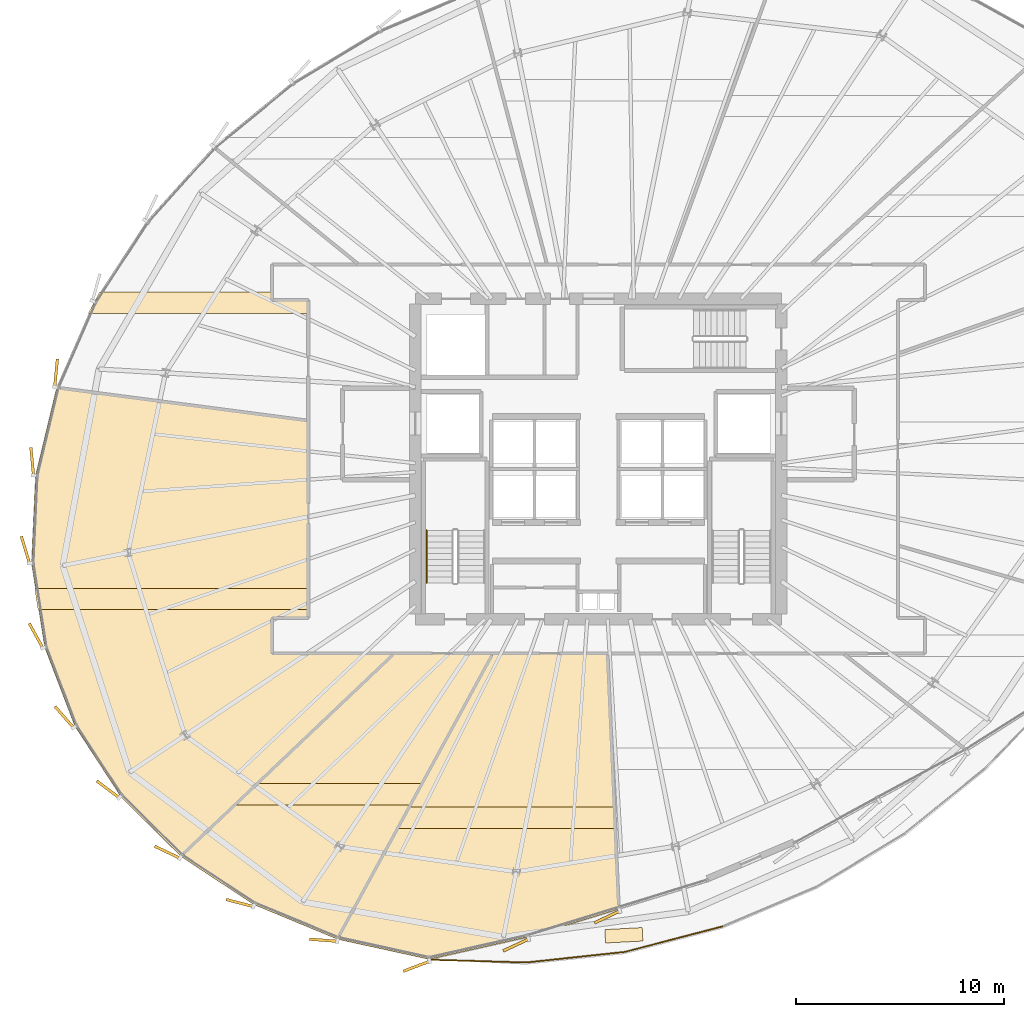
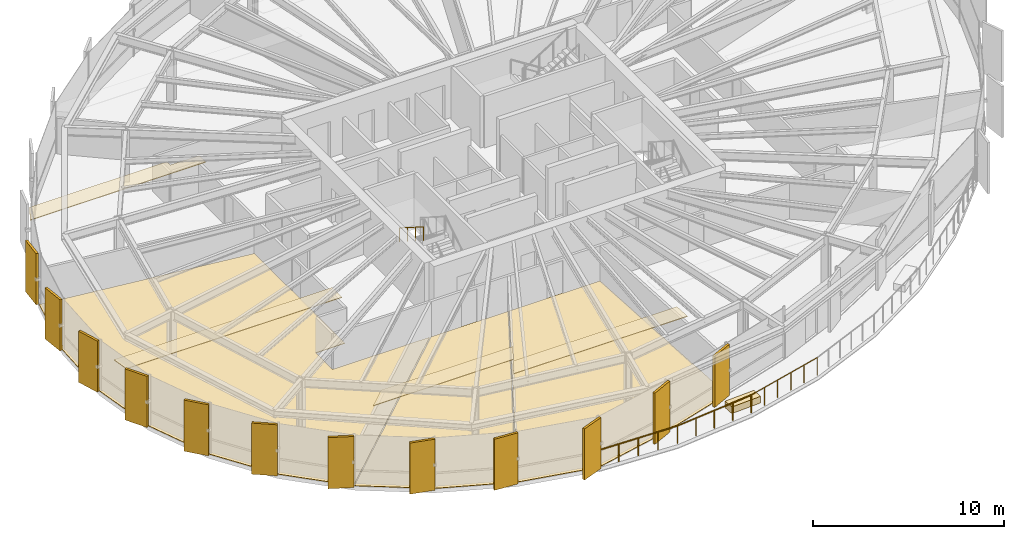
# One storey, part 32 of 36: 20 coverings, 4 railings.
"""IFC4 building model written with IfcOpenShell, lengths in metres."""

from ifc_helpers import new_model, si_unit, direction, frame, origin, origin_2d, place, context, subcontext, project, spatial, polyline, rectangle, circle, outline, extrude, source, transform, mapped, material, layer, layer_set, type_object, element, save


model = new_model("IFC4")

# Units and contexts
model_context = context("Model", 3, precision=1e-05, world=origin(), true_north=direction((0.0, 1.0)))
body_context = subcontext(model_context, "Body", "Model", "MODEL_VIEW")
ifc_project = project(units=[si_unit("LENGTHUNIT", "METRE"), si_unit("AREAUNIT", "SQUARE_METRE"), si_unit("VOLUMEUNIT", "CUBIC_METRE"), si_unit("PLANEANGLEUNIT", "RADIAN"), si_unit("MASSUNIT", "GRAM", prefix="KILO"), si_unit("THERMODYNAMICTEMPERATUREUNIT", "KELVIN")], contexts=[model_context])

# Site, building, storey
site_placement = place(None, origin())
site = spatial("IfcSite", under=ifc_project, at=site_placement, CompositionType="ELEMENT")
building_placement = place(site_placement, origin())
building = spatial("IfcBuilding", under=site, at=building_placement, Name="Kethvar Cultural Tower", CompositionType="ELEMENT")
storey_placement = place(building_placement, frame((0.0, 0.0, 143.0)))
storey = spatial("IfcBuildingStorey", under=building, at=storey_placement, Name="L36", CompositionType="ELEMENT", Elevation=143.0)

# Coverings
ifc_material_1 = material(Name="Acoustic Mineral Fibre Ceiling")
ifc_layer_1 = layer(ifc_material_1, 0.0400390625, Name="Acoustic Mineral Fibre Ceiling")
ifc_layer_set_1 = layer_set([ifc_layer_1], Name="Acoustic Mineral Fibre Ceiling (40 mm)")
covering_type_1 = type_object("IfcCoveringType", Name="CV-ACOUSTIC-CEIL", PredefinedType="CEILING", material=ifc_layer_set_1)
covering_1_placement = place(storey_placement, frame((0.0, 0.0, 2.669921875)))
element("IfcCovering", 1, at=covering_1_placement, inside=storey, type_object=covering_type_1, Name="L36 Room 01 Acoustic Ceiling Panel", PredefinedType="CEILING", context=body_context, shape_type="SweptSolid", body=[
    extrude(outline(polyline([(30.404296875, 12.20654296875), (38.364501953125, 12.20654296875), (37.8056640625, 11.176513671875), (29.3232421875, 11.176513671875), (30.404296875, 12.20654296875)])), origin(), (0.0, 0.0, 1.0), 0.0400390625),
])
covering_2_placement = place(storey_placement, frame((0.0, 0.0, 2.669921875)))
element("IfcCovering", 2, at=covering_2_placement, inside=storey, type_object=covering_type_1, Name="L36 Room 02 Acoustic Ceiling Panel", PredefinedType="CEILING", context=body_context, shape_type="SweptSolid", body=[
    extrude(outline(polyline([(37.69677734375, 11.059814453125), (47.599609375, 11.059814453125), (47.647705078125, 10.02978515625), (37.13818359375, 10.02978515625), (37.69677734375, 11.059814453125)])), origin(), (0.0, 0.0, 1.0), 0.0400390625),
])
covering_3_placement = place(storey_placement, frame((0.0, 0.0, 2.669921875)))
element("IfcCovering", 3, at=covering_3_placement, inside=storey, type_object=covering_type_1, Name="L36 Room 10 Acoustic Ceiling Panel", PredefinedType="CEILING", context=body_context, shape_type="SweptSolid", body=[
    extrude(outline(polyline([(22.2705078125, 34.793212890625), (22.817138671875, 35.8232421875), (31.1201171875, 35.8232421875), (31.1201171875, 35.469970703125), (32.859375, 35.467529296875), (32.8701171875, 34.793212890625), (22.2705078125, 34.793212890625)])), origin(), (0.0, 0.0, 1.0), 0.0400390625),
])
covering_4_placement = place(storey_placement, frame((0.0, 0.0, 2.669921875)))
element("IfcCovering", 4, at=covering_4_placement, inside=storey, type_object=covering_type_1, Name="L36 Room 11 Acoustic Ceiling Panel", PredefinedType="CEILING", context=body_context, shape_type="SweptSolid", body=[
    extrude(outline(polyline([(19.697265625, 21.584228515625), (32.8701171875, 21.584228515625), (32.8701171875, 20.55419921875), (19.8583984375, 20.55419921875), (19.697265625, 21.584228515625)])), origin(), (0.0, 0.0, 1.0), 0.0400390625),
])
ifc_material_2 = material(Name="Architectural Oak Timber", Category="wood")
ifc_layer_2 = layer(ifc_material_2, 0.02490234375, Name="Architectural Oak Timber", Category="wood")
ifc_layer_set_2 = layer_set([ifc_layer_2], Name="Architectural Oak Timber (25 mm)")
covering_type_2 = type_object("IfcCoveringType", Name="CV-OAK-FLOOR", PredefinedType="FLOORING", material=ifc_layer_set_2)
covering_5_placement = place(storey_placement, origin())
element("IfcCovering", 5, at=covering_5_placement, inside=storey, type_object=covering_type_2, Name="L36 Room 01 Floor Finish", PredefinedType="FLOORING", context=body_context, shape_type="SweptSolid", body=[
    extrude(outline(polyline([(30.2529296875, 6.37451171875), (26.757080078125, 8.6767578125), (36.994384765625, 18.429931640625), (41.694580078125, 18.429931640625), (34.256103515625, 4.716552734375), (30.2529296875, 6.37451171875)])), origin(), (0.0, 0.0, 1.0), 0.02490234375),
])
covering_6_placement = place(storey_placement, origin())
element("IfcCovering", 6, at=covering_6_placement, inside=storey, type_object=covering_type_2, Name="L36 Room 02 Floor Finish", PredefinedType="FLOORING", context=body_context, shape_type="SweptSolid", body=[
    extrude(outline(polyline([(43.379150390625, 4.805908203125), (38.667236328125, 3.748291015625), (34.29541015625, 4.705078125), (41.739990234375, 18.429931640625), (47.21630859375, 18.429931640625), (47.78759765625, 6.162841796875), (43.379150390625, 4.805908203125)])), origin(), (0.0, 0.0, 1.0), 0.02490234375),
])
covering_7_placement = place(storey_placement, origin())
element("IfcCovering", 7, at=covering_7_placement, inside=storey, type_object=covering_type_2, Name="L36 Room 11 Floor Finish", PredefinedType="FLOORING", context=body_context, shape_type="SweptSolid", body=[
    extrude(outline(polyline([(23.83251953125, 11.584716796875), (21.62451171875, 14.972412109375), (20.181396484375, 18.75), (19.547119140625, 22.80224609375), (19.740234375, 27.0068359375), (20.751953125, 31.2197265625), (32.830078125, 29.624755859375), (32.830078125, 20.169921875), (31.0859375, 20.1640625), (31.08154296875, 18.4423828125), (36.936279296875, 18.429931640625), (26.7255859375, 8.70166015625), (23.83251953125, 11.584716796875)])), origin(), (0.0, 0.0, 1.0), 0.02490234375),
])

# Railings
ifc_material_3 = material(Name="Steel S355J2", Category="steel")
railing_type_1 = type_object("IfcRailingType", Name="RL-EXT-GUARD-1150", PredefinedType="BALUSTRADE", material=ifc_material_3)
railing_1_placement = place(storey_placement, frame((38.667236328125, 3.727783203125, 0.0)))
element("IfcRailing", 8, at=railing_1_placement, inside=storey, type_object=railing_type_1, Name="L36 Spiralling Terrace Balustrade 01", PredefinedType="BALUSTRADE", context=body_context, shape_type="SweptSolid", body=[
    extrude(circle(Radius=0.02392578125, at=origin_2d()), frame((0.0, 0.0, 1.1259765625), z_axis=(0.999593238085, -0.028519438528, 0.0), x_axis=(0.028519438528, 0.999593238085, 0.0)), (0.0, 0.0, 1.0), 4.66552734375),
    extrude(circle(Radius=0.02099609375, at=origin_2d()), origin(), (0.0, 0.0, 1.0), 1.101806640625),
    extrude(circle(Radius=0.02099609375, at=origin_2d()), frame((1.166015625, -0.033203125, 0.0)), (0.0, 0.0, 1.0), 1.101806640625),
    extrude(circle(Radius=0.02099609375, at=origin_2d()), frame((2.331787109375, -0.06640625, 0.0)), (0.0, 0.0, 1.0), 1.101806640625),
    extrude(circle(Radius=0.02099609375, at=origin_2d()), frame((3.49755859375, -0.099853515625, 0.0)), (0.0, 0.0, 1.0), 1.101806640625),
    extrude(circle(Radius=0.02099609375, at=origin_2d()), frame((4.66357421875, -0.133056640625, 0.0)), (0.0, 0.0, 1.0), 1.101806640625),
])
railing_2_placement = place(storey_placement, frame((43.330810546875, 3.5947265625, 0.0)))
element("IfcRailing", 9, at=railing_2_placement, inside=storey, type_object=railing_type_1, Name="L36 Spiralling Terrace Balustrade 02", PredefinedType="BALUSTRADE", context=body_context, shape_type="SweptSolid", body=[
    extrude(circle(Radius=0.02392578125, at=origin_2d()), frame((0.0, 0.0, 1.1259765625), z_axis=(0.994305662919, 0.106565701269, 0.0), x_axis=(-0.106565701269, 0.994305662919, 0.0)), (0.0, 0.0, 1.0), 4.762939453125),
    extrude(circle(Radius=0.02099609375, at=origin_2d()), origin(), (0.0, 0.0, 1.0), 1.101806640625),
    extrude(circle(Radius=0.02099609375, at=origin_2d()), frame((1.18408203125, 0.126953125, 0.0)), (0.0, 0.0, 1.0), 1.101806640625),
    extrude(circle(Radius=0.02099609375, at=origin_2d()), frame((2.367919921875, 0.25390625, 0.0)), (0.0, 0.0, 1.0), 1.101806640625),
    extrude(circle(Radius=0.02099609375, at=origin_2d()), frame((3.5517578125, 0.380615234375, 0.0)), (0.0, 0.0, 1.0), 1.101806640625),
    extrude(circle(Radius=0.02099609375, at=origin_2d()), frame((4.73583984375, 0.507568359375, 0.0)), (0.0, 0.0, 1.0), 1.101806640625),
])
railing_3_placement = place(storey_placement, frame((48.066650390625, 4.102294921875, 0.0)))
element("IfcRailing", 10, at=railing_3_placement, inside=storey, type_object=railing_type_1, Name="L36 Spiralling Terrace Balustrade 03", PredefinedType="BALUSTRADE", context=body_context, shape_type="SweptSolid", body=[
    extrude(circle(Radius=0.02392578125, at=origin_2d()), frame((0.0, 0.0, 1.1259765625), z_axis=(0.967556885601, 0.252653266603, 0.0), x_axis=(-0.252653266603, 0.967556885601, 0.0)), (0.0, 0.0, 1.0), 4.853759765625),
    extrude(circle(Radius=0.02099609375, at=origin_2d()), origin(), (0.0, 0.0, 1.0), 1.101806640625),
    extrude(circle(Radius=0.02099609375, at=origin_2d()), frame((0.939208984375, 0.245361328125, 0.0)), (0.0, 0.0, 1.0), 1.101806640625),
    extrude(circle(Radius=0.02099609375, at=origin_2d()), frame((1.87841796875, 0.490478515625, 0.0)), (0.0, 0.0, 1.0), 1.101806640625),
    extrude(circle(Radius=0.02099609375, at=origin_2d()), frame((2.81787109375, 0.73583984375, 0.0)), (0.0, 0.0, 1.0), 1.101806640625),
    extrude(circle(Radius=0.02099609375, at=origin_2d()), frame((3.757080078125, 0.98095703125, 0.0)), (0.0, 0.0, 1.0), 1.101806640625),
    extrude(circle(Radius=0.02099609375, at=origin_2d()), frame((4.6962890625, 1.226318359375, 0.0)), (0.0, 0.0, 1.0), 1.101806640625),
])
railing_type_2 = type_object("IfcRailingType", Name="RL-STAIR-HANDRAIL", PredefinedType="HANDRAIL", material=ifc_material_3)
railing_4_placement = place(storey_placement, frame((38.5400390625, 24.3701171875, 1.952392578125)))
element("IfcRailing", 11, at=railing_4_placement, inside=storey, type_object=railing_type_2, Name="L36 ST-01 stair handrail 2", PredefinedType="HANDRAIL", context=body_context, shape_type="SweptSolid", body=[
    extrude(circle(Radius=0.02392578125, at=origin_2d()), frame((0.0, 0.0, 0.8759765625), z_axis=(0.0, -0.84456994832, 0.535445237532), x_axis=(1.0, 0.0, 0.0)), (0.0, 0.0, 1.0), 2.98388671875),
    extrude(circle(Radius=0.02099609375, at=origin_2d()), origin(), (0.0, 0.0, 1.0), 0.851806640625),
    extrude(circle(Radius=0.02099609375, at=origin_2d()), frame((0.0, -0.840087890625, 0.532470703125)), (0.0, 0.0, 1.0), 0.851806640625),
    extrude(circle(Radius=0.02099609375, at=origin_2d()), frame((0.0, -1.679931640625, 1.065185546875)), (0.0, 0.0, 1.0), 0.851806640625),
    extrude(circle(Radius=0.02099609375, at=origin_2d()), frame((0.0, -2.52001953125, 1.59765625)), (0.0, 0.0, 1.0), 0.851806640625),
])

# Coverings
ifc_material_4 = material(Name="Extruded Architectural Terracotta", Category="masonry")
ifc_layer_3 = layer(ifc_material_4, 0.419921875, Name="Extruded Architectural Terracotta", Category="masonry")
ifc_layer_set_3 = layer_set([ifc_layer_3], Name="Extruded Architectural Terracotta (420 mm)")
covering_type_3 = type_object("IfcCoveringType", Name="Terracotta Terrace Planter PLANTER-01", PredefinedType="USERDEFINED", material=ifc_layer_set_3)
shared_shape_1 = source(origin(), body_context, "Body", "SweptSolid", [
    extrude(rectangle(XDim=1.800048828125, YDim=0.64990234375, at=origin_2d()), origin(), (0.0, 0.0, 1.0), 0.419921875),
])
covering_8_placement = place(storey_placement, frame((48.02392578125, 4.90087890625, 0.0), z_axis=(0.0, 0.0, 1.0), x_axis=(0.99857418112, 0.053381689759, 0.0)))
element("IfcCovering", 12, at=covering_8_placement, inside=storey, type_object=covering_type_3, Name="L36 Sky Terrace Planter Box A", ObjectType="PLANTER", PredefinedType="USERDEFINED", context=body_context, shape_type="MappedRepresentation", body=[
    mapped(shared_shape_1, transform((0.0, 0.0, 0.0), scale=1.0)),
])
ifc_layer_4 = layer(ifc_material_4, 0.135009765625, Name="Extruded Architectural Terracotta", Category="masonry")
ifc_layer_set_4 = layer_set([ifc_layer_4], Name="Extruded Architectural Terracotta (135 mm)")
covering_type_4 = type_object("IfcCoveringType", Name="Terracotta Facade Fin FIN-02", PredefinedType="CLADDING", material=ifc_layer_set_4)
shared_shape_2 = source(origin(), body_context, "Body", "SweptSolid", [
    extrude(rectangle(XDim=1.35009765625, YDim=0.135009765625, at=origin_2d()), origin(), (0.0, 0.0, 1.0), 3.260009765625),
])
for number, where, z_axis, x_axis, name in (
    (13, (20.7236328125, 31.9326171875, 0.02001953125), (0.0, 0.0, 1.0), (0.09584575252, 0.995396198367, 0.0), "L36 Vertical Terracotta Fin 3.3"),
    (14, (19.577392578125, 27.685302734375, 0.02001953125), (0.0, 0.0, 1.0), (-0.093587025416, 0.995611103129, 0.0), "L36 Vertical Terracotta Fin 3.4"),
    (15, (19.251708984375, 23.434814453125, 0.02001953125), (0.0, 0.0, 1.0), (-0.290702193598, 0.956813584058, 0.0), "L36 Vertical Terracotta Fin 3.5"),
    (16, (19.760986328125, 19.30712890625, 0.02001953125), (0.0, 0.0, 1.0), (-0.483435173278, 0.875380164978, 0.0), "L36 Vertical Terracotta Fin 3.6"),
    (17, (21.117431640625, 15.395751953125, 0.02001953125), (0.0, 0.0, 1.0), (-0.657243714159, 0.753678114448, 0.0), "L36 Vertical Terracotta Fin 4.1"),
    (18, (23.220458984375, 11.920654296875, 0.02001953125), (0.0, 0.0, 1.0), (-0.799684658487, 0.600420225326, 0.0), "L36 Vertical Terracotta Fin 4.2"),
    (19, (26.0712890625, 8.896240234375, 0.02001953125), (0.0, 0.0, 1.0), (-0.903559758936, 0.428462089374, 0.0), "L36 Vertical Terracotta Fin 4.3"),
    (20, (29.559326171875, 6.451904296875, 0.02001953125), (0.0, 0.0, 1.0), (-0.968147640378, 0.250380004054, 0.0), "L36 Vertical Terracotta Fin 4.4"),
    (21, (33.57470703125, 4.664306640625, 0.02001953125), (0.0, 0.0, 1.0), (-0.997132545495, 0.075674875051, 0.0), "L36 Vertical Terracotta Fin 4.5"),
    (22, (38.05322265625, 3.41162109375, 0.02001953125), (0.0, 0.0, 1.0), (-0.935752139592, -0.352658380374, 0.0), "L36 Vertical Terracotta Fin 4.6"),
    (23, (42.833984375, 4.43505859375, 0.02001953125), (0.0, 0.0, 1.0), (-0.905494748453, -0.424357467855, 0.0), "L36 Vertical Terracotta Fin 5.1"),
    (24, (47.221435546875, 5.7841796875, 0.02001953125), (0.0, 0.0, 1.0), (-0.904603990929, -0.426252999515, 0.0), "L36 Vertical Terracotta Fin 5.2"),
):
    element("IfcCovering", number, at=place(storey_placement, frame(where, z_axis=z_axis, x_axis=x_axis)), inside=storey, type_object=covering_type_4, Name=name, PredefinedType="CLADDING", context=body_context, shape_type="MappedRepresentation", body=[
        mapped(shared_shape_2, transform((0.0, 0.0, 0.0), scale=1.0)),
    ])

save(model, "model.ifc")
